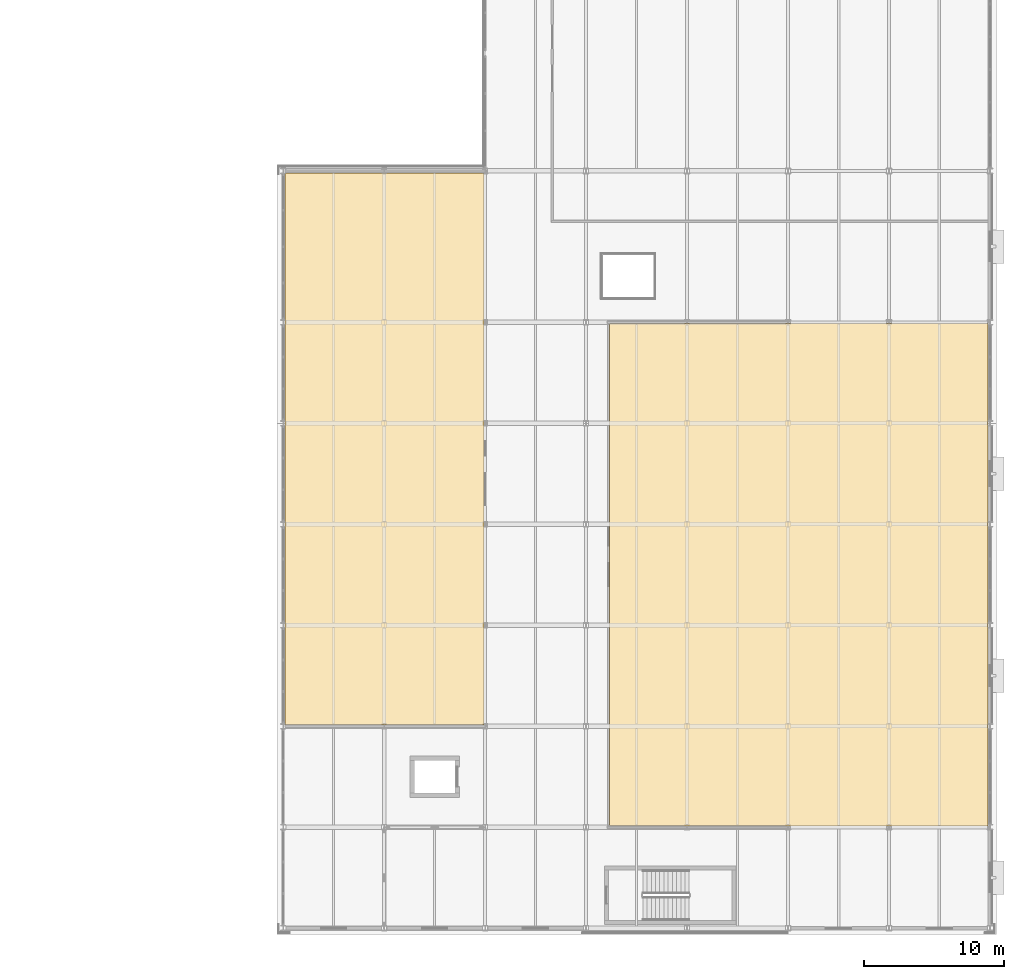
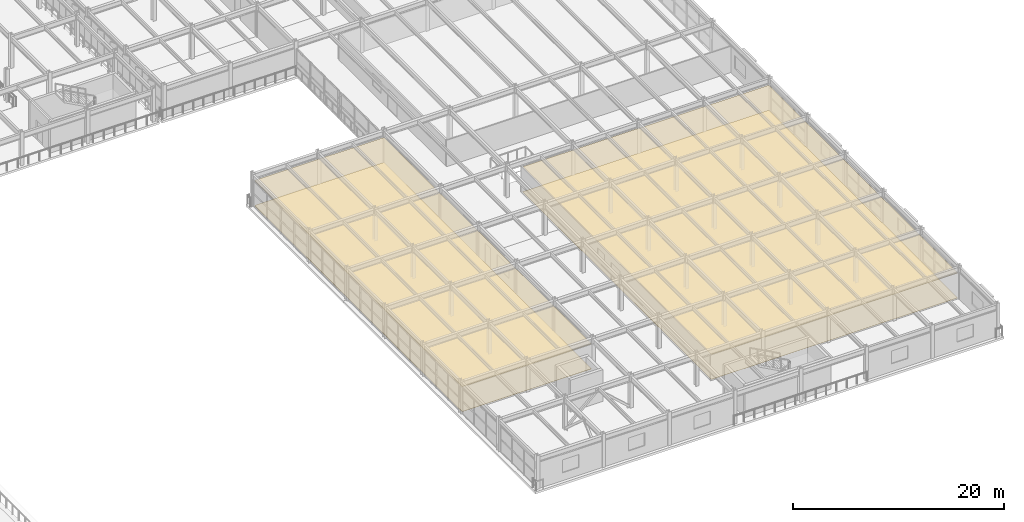
# One storey, part 86 of 93: 4 coverings.
"""IFC4 building model written with IfcOpenShell, lengths in metres."""

from ifc_helpers import new_model, si_unit, direction, frame, origin, place, context, subcontext, project, spatial, polyline, outline, extrude, material, layer, layer_set, type_object, element, save


model = new_model("IFC4")

# Units and contexts
model_context = context("Model", 3, precision=1e-05, world=origin(), true_north=direction((0.0, 1.0)))
body_context = subcontext(model_context, "Body", "Model", "MODEL_VIEW")
ifc_project = project(units=[si_unit("LENGTHUNIT", "METRE"), si_unit("AREAUNIT", "SQUARE_METRE"), si_unit("VOLUMEUNIT", "CUBIC_METRE"), si_unit("PLANEANGLEUNIT", "RADIAN"), si_unit("MASSUNIT", "GRAM", prefix="KILO")], contexts=[model_context])

# Site, building, storey
site_placement = place(None, origin())
site = spatial("IfcSite", under=ifc_project, at=site_placement, CompositionType="ELEMENT")
building_placement = place(site_placement, origin())
building = spatial("IfcBuilding", under=site, at=building_placement, Name="Vaelcorin Mobility Hub", CompositionType="ELEMENT")
storey_placement = place(building_placement, frame((0.0, 0.0, 5.39990234375)))
storey = spatial("IfcBuildingStorey", under=building, at=storey_placement, Name="L01", CompositionType="ELEMENT", Elevation=5.39990234375)

# Coverings
ifc_material_1 = material(Name="Perforated acoustic mineral-fibre ceiling tile")
ifc_layer_1 = layer(ifc_material_1, 0.02001953125)
ifc_layer_set_1 = layer_set([ifc_layer_1], Name="Perforated acoustic mineral-fibre ceiling tile")
covering_type_1 = type_object("IfcCoveringType", Name="COV-CEIL-1", PredefinedType="CEILING", material=ifc_layer_set_1)
covering_1_placement = place(storey_placement, frame((0.0, 0.0, 2.88818359375)))
element("IfcCovering", 1, at=covering_1_placement, inside=storey, type_object=covering_type_1, Name="Hub Operations Office Acoustic Ceiling", PredefinedType="CEILING", context=body_context, shape_type="SweptSolid", body=[
    extrude(outline(polyline([(176.93994140625, 13.280029296875), (176.93408203125, 13.280029296875), (176.927978515625, 13.281005859375), (176.923095703125, 13.282958984375), (176.9169921875, 13.284912109375), (176.912109375, 13.287109375), (176.906982421875, 13.2900390625), (176.902099609375, 13.2939453125), (176.89794921875, 13.298095703125), (176.89404296875, 13.302001953125), (176.889892578125, 13.306884765625), (176.886962890625, 13.31201171875), (176.885009765625, 13.31689453125), (176.883056640625, 13.322998046875), (176.881103515625, 13.327880859375), (176.8798828125, 13.333984375), (176.8798828125, 13.340087890625), (176.8798828125, 49.06005859375), (176.8798828125, 49.06591796875), (176.881103515625, 49.072021484375), (176.883056640625, 49.076904296875), (176.885009765625, 49.0830078125), (176.886962890625, 49.087890625), (176.889892578125, 49.093017578125), (176.89404296875, 49.097900390625), (176.89794921875, 49.10205078125), (176.902099609375, 49.10595703125), (176.906982421875, 49.110107421875), (176.912109375, 49.113037109375), (176.9169921875, 49.114990234375), (176.923095703125, 49.116943359375), (176.927978515625, 49.118896484375), (176.93408203125, 49.1201171875), (176.93994140625, 49.1201171875), (203.800048828125, 49.1201171875), (203.805908203125, 49.1201171875), (203.81201171875, 49.118896484375), (203.81689453125, 49.116943359375), (203.822998046875, 49.114990234375), (203.827880859375, 49.113037109375), (203.8330078125, 49.110107421875), (203.837890625, 49.10595703125), (203.842041015625, 49.10205078125), (203.845947265625, 49.097900390625), (203.85009765625, 49.093017578125), (203.85302734375, 49.087890625), (203.85498046875, 49.0830078125), (203.85693359375, 49.076904296875), (203.85888671875, 49.072021484375), (203.860107421875, 49.06591796875), (203.860107421875, 49.06005859375), (203.860107421875, 13.340087890625), (203.860107421875, 13.333984375), (203.85888671875, 13.327880859375), (203.85693359375, 13.322998046875), (203.85498046875, 13.31689453125), (203.85302734375, 13.31201171875), (203.85009765625, 13.306884765625), (203.845947265625, 13.302001953125), (203.842041015625, 13.298095703125), (203.837890625, 13.2939453125), (203.8330078125, 13.2900390625), (203.827880859375, 13.287109375), (203.822998046875, 13.284912109375), (203.81689453125, 13.282958984375), (203.81201171875, 13.281005859375), (203.805908203125, 13.280029296875), (203.800048828125, 13.280029296875), (176.93994140625, 13.280029296875)])), origin(), (0.0, 0.0, 1.0), 0.02001953125),
])
ifc_layer_2 = layer(ifc_material_1, 0.0380859375)
ifc_layer_set_2 = layer_set([ifc_layer_2], Name="Perforated acoustic mineral-fibre ceiling tile")
covering_type_2 = type_object("IfcCoveringType", Name="COV-CEIL-4", PredefinedType="CEILING", material=ifc_layer_set_2)
covering_2_placement = place(storey_placement, frame((0.0, 0.0, 2.88818359375)))
element("IfcCovering", 2, at=covering_2_placement, inside=storey, type_object=covering_type_2, Name="Transit Staff Training Room Acoustic Ceiling", PredefinedType="CEILING", context=body_context, shape_type="SweptSolid", body=[
    extrude(outline(polyline([(153.800048828125, 20.47998046875), (153.7939453125, 20.47998046875), (153.7880859375, 20.48095703125), (153.782958984375, 20.48291015625), (153.777099609375, 20.485107421875), (153.77197265625, 20.487060546875), (153.76708984375, 20.489990234375), (153.761962890625, 20.493896484375), (153.758056640625, 20.498046875), (153.75390625, 20.501953125), (153.75, 20.507080078125), (153.7470703125, 20.511962890625), (153.7451171875, 20.51708984375), (153.742919921875, 20.52294921875), (153.740966796875, 20.528076171875), (153.739990234375, 20.533935546875), (153.739990234375, 20.5400390625), (153.739990234375, 59.800048828125), (153.739990234375, 59.805908203125), (153.740966796875, 59.81201171875), (153.742919921875, 59.81689453125), (153.7451171875, 59.822998046875), (153.7470703125, 59.827880859375), (153.75, 59.8330078125), (153.75390625, 59.837890625), (153.758056640625, 59.842041015625), (153.761962890625, 59.845947265625), (153.76708984375, 59.85009765625), (153.77197265625, 59.85302734375), (153.777099609375, 59.85498046875), (153.782958984375, 59.85693359375), (153.7880859375, 59.85888671875), (153.7939453125, 59.860107421875), (153.800048828125, 59.860107421875), (167.860107421875, 59.860107421875), (167.865966796875, 59.860107421875), (167.8720703125, 59.85888671875), (167.876953125, 59.85693359375), (167.883056640625, 59.85498046875), (167.887939453125, 59.85302734375), (167.89306640625, 59.85009765625), (167.89794921875, 59.845947265625), (167.902099609375, 59.842041015625), (167.906005859375, 59.837890625), (167.909912109375, 59.8330078125), (167.9130859375, 59.827880859375), (167.9150390625, 59.822998046875), (167.9169921875, 59.81689453125), (167.9189453125, 59.81201171875), (167.919921875, 59.805908203125), (167.919921875, 59.800048828125), (167.919921875, 20.5400390625), (167.919921875, 20.533935546875), (167.9189453125, 20.528076171875), (167.9169921875, 20.52294921875), (167.9150390625, 20.51708984375), (167.9130859375, 20.511962890625), (167.909912109375, 20.507080078125), (167.906005859375, 20.501953125), (167.902099609375, 20.498046875), (167.89794921875, 20.493896484375), (167.89306640625, 20.489990234375), (167.887939453125, 20.487060546875), (167.883056640625, 20.485107421875), (167.876953125, 20.48291015625), (167.8720703125, 20.48095703125), (167.865966796875, 20.47998046875), (167.860107421875, 20.47998046875), (153.800048828125, 20.47998046875)])), origin(), (0.0, 0.0, 1.0), 0.037841796875),
])
ifc_material_2 = material(Name="Polished epoxy-terrazzo concourse flooring")
ifc_layer_3 = layer(ifc_material_2, 0.01806640625)
ifc_layer_set_3 = layer_set([ifc_layer_3], Name="Polished epoxy-terrazzo concourse flooring")
covering_type_3 = type_object("IfcCoveringType", Name="COV-FLR-1", PredefinedType="FLOORING", material=ifc_layer_set_3)
covering_3_placement = place(storey_placement, origin())
element("IfcCovering", 3, at=covering_3_placement, inside=storey, type_object=covering_type_3, Name="Hub Operations Office Finish Flooring", PredefinedType="FLOORING", context=body_context, shape_type="SweptSolid", body=[
    extrude(outline(polyline([(176.93994140625, 13.280029296875), (176.93408203125, 13.280029296875), (176.927978515625, 13.281005859375), (176.923095703125, 13.282958984375), (176.9169921875, 13.284912109375), (176.912109375, 13.287109375), (176.906982421875, 13.2900390625), (176.902099609375, 13.2939453125), (176.89794921875, 13.298095703125), (176.89404296875, 13.302001953125), (176.889892578125, 13.306884765625), (176.886962890625, 13.31201171875), (176.885009765625, 13.31689453125), (176.883056640625, 13.322998046875), (176.881103515625, 13.327880859375), (176.8798828125, 13.333984375), (176.8798828125, 13.340087890625), (176.8798828125, 49.06005859375), (176.8798828125, 49.06591796875), (176.881103515625, 49.072021484375), (176.883056640625, 49.076904296875), (176.885009765625, 49.0830078125), (176.886962890625, 49.087890625), (176.889892578125, 49.093017578125), (176.89404296875, 49.097900390625), (176.89794921875, 49.10205078125), (176.902099609375, 49.10595703125), (176.906982421875, 49.110107421875), (176.912109375, 49.113037109375), (176.9169921875, 49.114990234375), (176.923095703125, 49.116943359375), (176.927978515625, 49.118896484375), (176.93408203125, 49.1201171875), (176.93994140625, 49.1201171875), (203.800048828125, 49.1201171875), (203.805908203125, 49.1201171875), (203.81201171875, 49.118896484375), (203.81689453125, 49.116943359375), (203.822998046875, 49.114990234375), (203.827880859375, 49.113037109375), (203.8330078125, 49.110107421875), (203.837890625, 49.10595703125), (203.842041015625, 49.10205078125), (203.845947265625, 49.097900390625), (203.85009765625, 49.093017578125), (203.85302734375, 49.087890625), (203.85498046875, 49.0830078125), (203.85693359375, 49.076904296875), (203.85888671875, 49.072021484375), (203.860107421875, 49.06591796875), (203.860107421875, 49.06005859375), (203.860107421875, 13.340087890625), (203.860107421875, 13.333984375), (203.85888671875, 13.327880859375), (203.85693359375, 13.322998046875), (203.85498046875, 13.31689453125), (203.85302734375, 13.31201171875), (203.85009765625, 13.306884765625), (203.845947265625, 13.302001953125), (203.842041015625, 13.298095703125), (203.837890625, 13.2939453125), (203.8330078125, 13.2900390625), (203.827880859375, 13.287109375), (203.822998046875, 13.284912109375), (203.81689453125, 13.282958984375), (203.81201171875, 13.281005859375), (203.805908203125, 13.280029296875), (203.800048828125, 13.280029296875), (176.93994140625, 13.280029296875)])), origin(), (0.0, 0.0, 1.0), 0.01806640625),
])
ifc_layer_4 = layer(ifc_material_2, 0.02587890625)
ifc_layer_set_4 = layer_set([ifc_layer_4], Name="Polished epoxy-terrazzo concourse flooring")
covering_type_4 = type_object("IfcCoveringType", Name="COV-FLR-2", PredefinedType="FLOORING", material=ifc_layer_set_4)
covering_4_placement = place(storey_placement, origin())
element("IfcCovering", 4, at=covering_4_placement, inside=storey, type_object=covering_type_4, Name="Transit Staff Training Room Finish Flooring", PredefinedType="FLOORING", context=body_context, shape_type="SweptSolid", body=[
    extrude(outline(polyline([(153.800048828125, 20.47998046875), (153.7939453125, 20.47998046875), (153.7880859375, 20.48095703125), (153.782958984375, 20.48291015625), (153.777099609375, 20.485107421875), (153.77197265625, 20.487060546875), (153.76708984375, 20.489990234375), (153.761962890625, 20.493896484375), (153.758056640625, 20.498046875), (153.75390625, 20.501953125), (153.75, 20.507080078125), (153.7470703125, 20.511962890625), (153.7451171875, 20.51708984375), (153.742919921875, 20.52294921875), (153.740966796875, 20.528076171875), (153.739990234375, 20.533935546875), (153.739990234375, 20.5400390625), (153.739990234375, 59.800048828125), (153.739990234375, 59.805908203125), (153.740966796875, 59.81201171875), (153.742919921875, 59.81689453125), (153.7451171875, 59.822998046875), (153.7470703125, 59.827880859375), (153.75, 59.8330078125), (153.75390625, 59.837890625), (153.758056640625, 59.842041015625), (153.761962890625, 59.845947265625), (153.76708984375, 59.85009765625), (153.77197265625, 59.85302734375), (153.777099609375, 59.85498046875), (153.782958984375, 59.85693359375), (153.7880859375, 59.85888671875), (153.7939453125, 59.860107421875), (153.800048828125, 59.860107421875), (167.860107421875, 59.860107421875), (167.865966796875, 59.860107421875), (167.8720703125, 59.85888671875), (167.876953125, 59.85693359375), (167.883056640625, 59.85498046875), (167.887939453125, 59.85302734375), (167.89306640625, 59.85009765625), (167.89794921875, 59.845947265625), (167.902099609375, 59.842041015625), (167.906005859375, 59.837890625), (167.909912109375, 59.8330078125), (167.9130859375, 59.827880859375), (167.9150390625, 59.822998046875), (167.9169921875, 59.81689453125), (167.9189453125, 59.81201171875), (167.919921875, 59.805908203125), (167.919921875, 59.800048828125), (167.919921875, 20.5400390625), (167.919921875, 20.533935546875), (167.9189453125, 20.528076171875), (167.9169921875, 20.52294921875), (167.9150390625, 20.51708984375), (167.9130859375, 20.511962890625), (167.909912109375, 20.507080078125), (167.906005859375, 20.501953125), (167.902099609375, 20.498046875), (167.89794921875, 20.493896484375), (167.89306640625, 20.489990234375), (167.887939453125, 20.487060546875), (167.883056640625, 20.485107421875), (167.876953125, 20.48291015625), (167.8720703125, 20.48095703125), (167.865966796875, 20.47998046875), (167.860107421875, 20.47998046875), (153.800048828125, 20.47998046875)])), origin(), (0.0, 0.0, 1.0), 0.026123046875),
])

save(model, "model.ifc")
